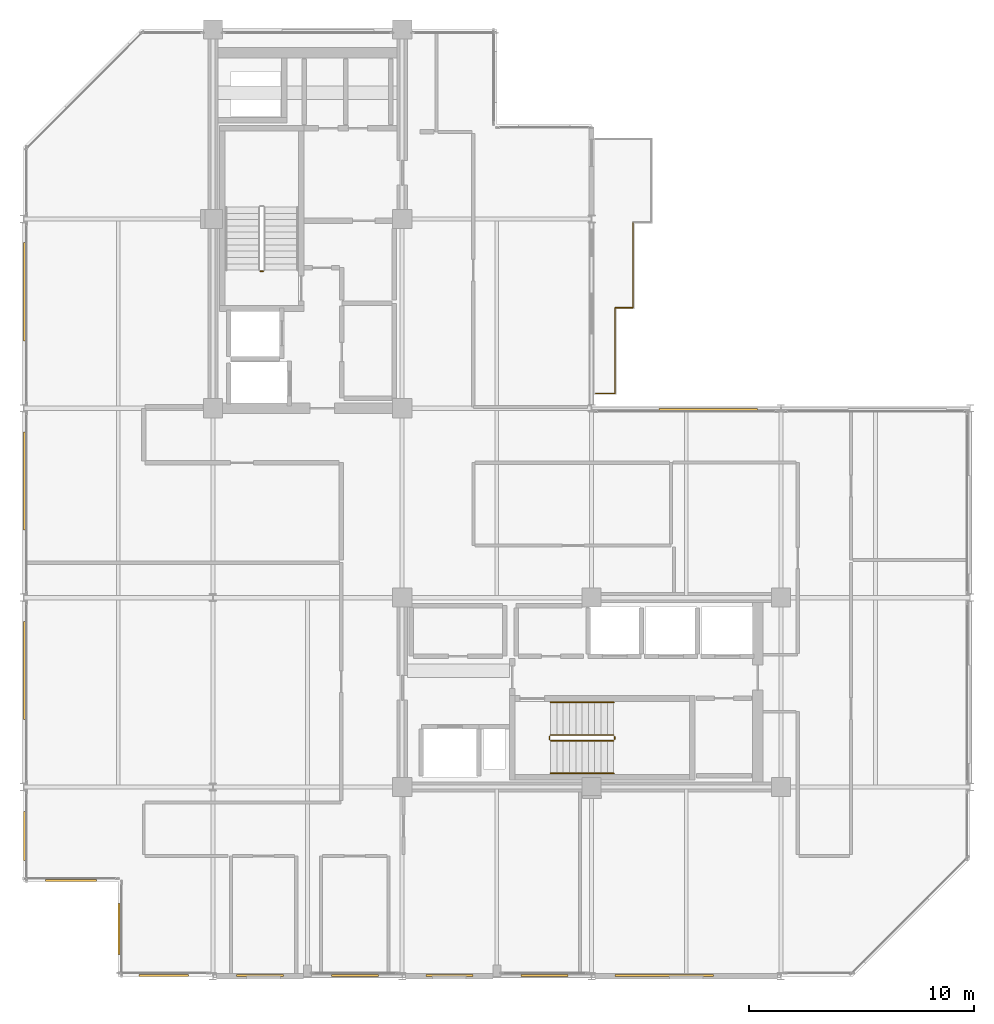
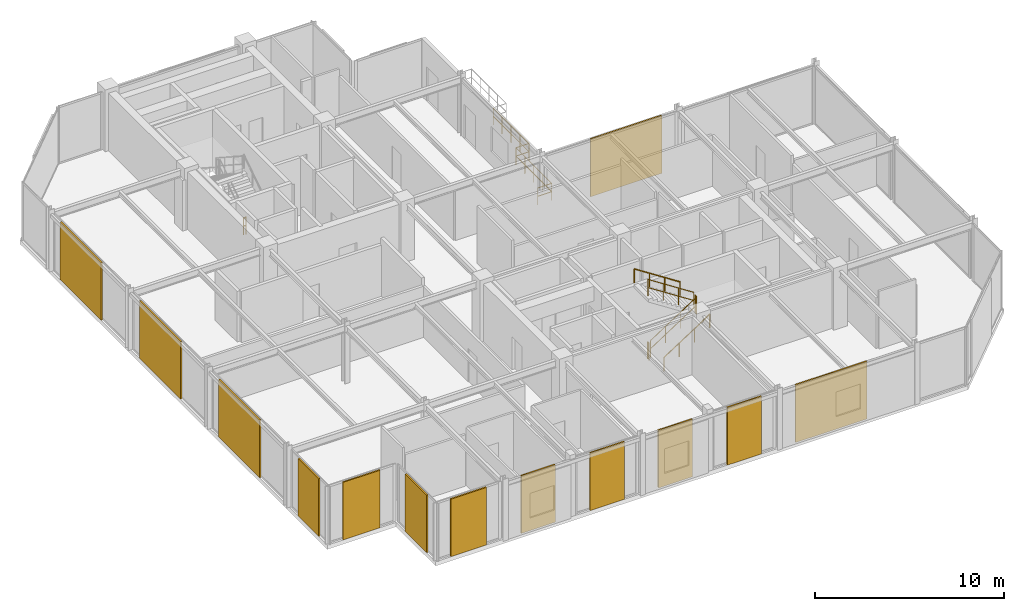
# One storey, part 24 of 26: 13 coverings, 11 railings.
"""IFC4 building model written with IfcOpenShell, lengths in metres."""

from ifc_helpers import new_model, si_unit, direction, frame, origin, origin_2d, place, context, subcontext, project, spatial, rectangle, circle, extrude, material, layer, layer_set, type_object, element, save


model = new_model("IFC4")

# Units and contexts
model_context = context("Model", 3, precision=1e-05, world=origin(), true_north=direction((0.0, 1.0)))
body_context = subcontext(model_context, "Body", "Model", "MODEL_VIEW")
ifc_project = project(units=[si_unit("LENGTHUNIT", "METRE"), si_unit("AREAUNIT", "SQUARE_METRE"), si_unit("VOLUMEUNIT", "CUBIC_METRE"), si_unit("PLANEANGLEUNIT", "RADIAN"), si_unit("MASSUNIT", "GRAM", prefix="KILO")], contexts=[model_context])

# Site, building, storey
site_placement = place(None, origin())
site = spatial("IfcSite", under=ifc_project, at=site_placement, CompositionType="ELEMENT")
building_placement = place(site_placement, origin())
building = spatial("IfcBuilding", under=site, at=building_placement, Name="Nerrivon Quay Data Exchange", CompositionType="ELEMENT")
storey_placement = place(building_placement, frame((0.0, 0.0, 250.199951171875)))
storey = spatial("IfcBuildingStorey", under=building, at=storey_placement, Name="L59", CompositionType="ELEMENT", Elevation=250.199951171875)

# Coverings
ifc_material_1 = material(Name="Architectural terracotta ceramic", Category="masonry")
ifc_layer = layer(ifc_material_1, 0.090087890625)
ifc_layer_set = layer_set([ifc_layer], Name="Architectural terracotta ceramic")
covering_type = type_object("IfcCoveringType", Name="COV-SCR-TERR", PredefinedType="CLADDING", material=ifc_layer_set)
covering_1_placement = place(storey_placement, frame((28.42919921875, 0.044921875, 0.0), z_axis=(0.0, 0.0, 1.0), x_axis=(-1.0, 0.0, 0.0)))
element("IfcCovering", 1, at=covering_1_placement, inside=storey, type_object=covering_type, Name="L59 Perforated Terracotta SOLAR SCREEN Cassette", PredefinedType="CLADDING", context=body_context, shape_type="SweptSolid", body=[
    extrude(rectangle(XDim=4.367919921875, YDim=0.090087890625, at=origin_2d()), origin(), (0.0, 0.0, 1.0), 3.72509765625),
])
for number, where, z_axis, x_axis, name in (
    (2, (23.109619140625, 0.044921875, 0.0), (0.0, 0.0, 1.0), (-1.0, 0.0, 0.0), "L59 Perforated Terracotta SOLAR SCREEN Cassette"),
    (3, (18.890380859375, 0.044921875, 0.0), (0.0, 0.0, 1.0), (-1.0, 0.0, 0.0), "L59 Perforated Terracotta SOLAR SCREEN Cassette"),
    (4, (14.709716796875, 0.044921875, 0.0), (0.0, 0.0, 1.0), (-1.0, 0.0, 0.0), "L59 Perforated Terracotta SOLAR SCREEN Cassette"),
    (5, (10.490234375, 0.044921875, 0.0), (0.0, 0.0, 1.0), (-1.0, 0.0, 0.0), "L59 Perforated Terracotta SOLAR SCREEN Cassette"),
):
    element("IfcCovering", number, at=place(storey_placement, frame(where, z_axis=z_axis, x_axis=x_axis)), inside=storey, type_object=covering_type, Name=name, PredefinedType="CLADDING", context=body_context, shape_type="SweptSolid", body=[
        extrude(rectangle(XDim=2.090087890625, YDim=0.090087890625, at=origin_2d()), origin(), (0.0, 0.0, 1.0), 3.72509765625),
    ])
covering_2_placement = place(storey_placement, frame((6.222412109375, 0.044921875, 0.0), z_axis=(0.0, 0.0, 1.0), x_axis=(-1.0, 0.0, 0.0)))
element("IfcCovering", 6, at=covering_2_placement, inside=storey, type_object=covering_type, Name="L59 Perforated Terracotta SOLAR SCREEN Cassette", PredefinedType="CLADDING", context=body_context, shape_type="SweptSolid", body=[
    extrude(rectangle(XDim=2.18408203125, YDim=0.090087890625, at=origin_2d()), origin(), (0.0, 0.0, 1.0), 3.72509765625),
])
for number, where, z_axis, x_axis, name in (
    (7, (4.2451171875, 2.10009765625, 0.0), (0.0, 0.0, 1.0), (0.0, 1.0, 0.0), "L59 Perforated Terracotta SOLAR SCREEN Cassette"),
    (8, (2.10009765625, 4.2451171875, 0.0), (0.0, 0.0, 1.0), (-1.0, 0.0, 0.0), "L59 Perforated Terracotta SOLAR SCREEN Cassette"),
):
    element("IfcCovering", number, at=place(storey_placement, frame(where, z_axis=z_axis, x_axis=x_axis)), inside=storey, type_object=covering_type, Name=name, PredefinedType="CLADDING", context=body_context, shape_type="SweptSolid", body=[
        extrude(rectangle(XDim=2.26806640625, YDim=0.090087890625, at=origin_2d()), origin(), (0.0, 0.0, 1.0), 3.72509765625),
    ])
covering_3_placement = place(storey_placement, frame((0.044921875, 6.21826171875, 0.0), z_axis=(0.0, 0.0, 1.0), x_axis=(0.0, 1.0, 0.0)))
element("IfcCovering", 9, at=covering_3_placement, inside=storey, type_object=covering_type, Name="L59 Perforated Terracotta SOLAR SCREEN Cassette", PredefinedType="CLADDING", context=body_context, shape_type="SweptSolid", body=[
    extrude(rectangle(XDim=2.179931640625, YDim=0.090087890625, at=origin_2d()), origin(), (0.0, 0.0, 1.0), 3.72509765625),
])
for number, where, z_axis, x_axis, name in (
    (10, (0.044921875, 13.56884765625, 0.0), (0.0, 0.0, 1.0), (0.0, 1.0, 0.0), "L59 Perforated Terracotta SOLAR SCREEN Cassette"),
    (11, (0.044921875, 21.96875, 0.0), (0.0, 0.0, 1.0), (0.0, 1.0, 0.0), "L59 Perforated Terracotta SOLAR SCREEN Cassette"),
    (12, (0.044921875, 30.368896484375, 0.0), (0.0, 0.0, 1.0), (0.0, 1.0, 0.0), "L59 Perforated Terracotta SOLAR SCREEN Cassette"),
):
    element("IfcCovering", number, at=place(storey_placement, frame(where, z_axis=z_axis, x_axis=x_axis)), inside=storey, type_object=covering_type, Name=name, PredefinedType="CLADDING", context=body_context, shape_type="SweptSolid", body=[
        extrude(rectangle(XDim=4.35888671875, YDim=0.090087890625, at=origin_2d()), origin(), (0.0, 0.0, 1.0), 3.72509765625),
    ])
covering_4_placement = place(storey_placement, frame((30.37060546875, 25.155029296875, 0.0), z_axis=(0.0, 0.0, 1.0), x_axis=(1.0, 0.0, 0.0)))
element("IfcCovering", 13, at=covering_4_placement, inside=storey, type_object=covering_type, Name="L59 Perforated Terracotta SOLAR SCREEN Cassette", PredefinedType="CLADDING", context=body_context, shape_type="SweptSolid", body=[
    extrude(rectangle(XDim=4.367919921875, YDim=0.090087890625, at=origin_2d()), origin(), (0.0, 0.0, 1.0), 3.72509765625),
])

# Railings
ifc_material_2 = material(Name="Steel Grade C350L0 (350 MPa)", Category="steel")
railing_type_1 = type_object("IfcRailingType", Name="RAIL-GUARD-GR2", PredefinedType="BALUSTRADE", material=ifc_material_2)
railing_1_placement = place(storey_placement, frame((26.239990234375, 29.659912109375, 0.0)))
element("IfcRailing", 14, at=railing_1_placement, inside=storey, type_object=railing_type_1, Name="L59 Verandah Balcony Guard 1.1 1", PredefinedType="BALUSTRADE", context=body_context, shape_type="SweptSolid", body=[
    extrude(circle(Radius=0.02392578125, at=origin_2d()), frame((0.0, 0.0, 1.09619140625), z_axis=(0.0, -1.0, 0.0), x_axis=(1.0, 0.0, 0.0)), (0.0, 0.0, 1.0), 3.7998046875),
    extrude(circle(Radius=0.02392578125, at=origin_2d()), frame((0.0, 0.0, 0.56005859375), z_axis=(0.0, -1.0, 0.0), x_axis=(1.0, 0.0, 0.0)), (0.0, 0.0, 1.0), 3.7998046875),
    extrude(circle(Radius=0.02099609375, at=origin_2d()), origin(), (0.0, 0.0, 1.0), 1.072021484375),
    extrude(circle(Radius=0.02099609375, at=origin_2d()), frame((0.0, -0.949951171875, 0.0)), (0.0, 0.0, 1.0), 1.072021484375),
    extrude(circle(Radius=0.02099609375, at=origin_2d()), frame((0.0, -1.89990234375, 0.0)), (0.0, 0.0, 1.0), 1.072021484375),
    extrude(circle(Radius=0.02099609375, at=origin_2d()), frame((0.0, -2.849853515625, 0.0)), (0.0, 0.0, 1.0), 1.072021484375),
    extrude(circle(Radius=0.02099609375, at=origin_2d()), frame((0.0, -3.7998046875, 0.0)), (0.0, 0.0, 1.0), 1.072021484375),
])
railing_2_placement = place(storey_placement, frame((26.239990234375, 25.860107421875, 0.0)))
element("IfcRailing", 15, at=railing_2_placement, inside=storey, type_object=railing_type_1, Name="L59 Verandah Balcony Guard 1.2 1", PredefinedType="BALUSTRADE", context=body_context, shape_type="SweptSolid", body=[
    extrude(circle(Radius=0.02392578125, at=origin_2d()), frame((0.0, 0.0, 1.09619140625), z_axis=(-1.0, 0.0, 0.0), x_axis=(0.0, -1.0, 0.0)), (0.0, 0.0, 1.0), 0.860107421875),
    extrude(circle(Radius=0.02392578125, at=origin_2d()), frame((0.0, 0.0, 0.56005859375), z_axis=(-1.0, 0.0, 0.0), x_axis=(0.0, -1.0, 0.0)), (0.0, 0.0, 1.0), 0.860107421875),
    extrude(circle(Radius=0.02099609375, at=origin_2d()), origin(), (0.0, 0.0, 1.0), 1.072021484375),
    extrude(circle(Radius=0.02099609375, at=origin_2d()), frame((-0.860107421875, 0.0, 0.0)), (0.0, 0.0, 1.0), 1.072021484375),
])
railing_3_placement = place(storey_placement, frame((27.0400390625, 33.4599609375, 0.0)))
element("IfcRailing", 16, at=railing_3_placement, inside=storey, type_object=railing_type_1, Name="L59 Verandah Balcony Guard 1.6 1", PredefinedType="BALUSTRADE", context=body_context, shape_type="SweptSolid", body=[
    extrude(circle(Radius=0.02392578125, at=origin_2d()), frame((0.0, 0.0, 1.09619140625), z_axis=(0.0, -1.0, 0.0), x_axis=(1.0, 0.0, 0.0)), (0.0, 0.0, 1.0), 3.800048828125),
    extrude(circle(Radius=0.02392578125, at=origin_2d()), frame((0.0, 0.0, 0.56005859375), z_axis=(0.0, -1.0, 0.0), x_axis=(1.0, 0.0, 0.0)), (0.0, 0.0, 1.0), 3.800048828125),
    extrude(circle(Radius=0.02099609375, at=origin_2d()), origin(), (0.0, 0.0, 1.0), 1.072021484375),
    extrude(circle(Radius=0.02099609375, at=origin_2d()), frame((0.0, -0.949951171875, 0.0)), (0.0, 0.0, 1.0), 1.072021484375),
    extrude(circle(Radius=0.02099609375, at=origin_2d()), frame((0.0, -1.89990234375, 0.0)), (0.0, 0.0, 1.0), 1.072021484375),
    extrude(circle(Radius=0.02099609375, at=origin_2d()), frame((0.0, -2.85009765625, 0.0)), (0.0, 0.0, 1.0), 1.072021484375),
    extrude(circle(Radius=0.02099609375, at=origin_2d()), frame((0.0, -3.800048828125, 0.0)), (0.0, 0.0, 1.0), 1.072021484375),
])
railing_4_placement = place(storey_placement, frame((27.0400390625, 29.659912109375, 0.0)))
element("IfcRailing", 17, at=railing_4_placement, inside=storey, type_object=railing_type_1, Name="L59 Verandah Balcony Guard 1.7 1", PredefinedType="BALUSTRADE", context=body_context, shape_type="SweptSolid", body=[
    extrude(circle(Radius=0.02392578125, at=origin_2d()), frame((0.0, 0.0, 1.09619140625), z_axis=(-1.0, 0.0, 0.0), x_axis=(0.0, -1.0, 0.0)), (0.0, 0.0, 1.0), 0.800048828125),
    extrude(circle(Radius=0.02392578125, at=origin_2d()), frame((0.0, 0.0, 0.56005859375), z_axis=(-1.0, 0.0, 0.0), x_axis=(0.0, -1.0, 0.0)), (0.0, 0.0, 1.0), 0.800048828125),
    extrude(circle(Radius=0.02099609375, at=origin_2d()), origin(), (0.0, 0.0, 1.0), 1.072021484375),
    extrude(circle(Radius=0.02099609375, at=origin_2d()), frame((-0.800048828125, 0.0, 0.0)), (0.0, 0.0, 1.0), 1.072021484375),
])
railing_type_2 = type_object("IfcRailingType", Name="RAIL-HAND-HR1", PredefinedType="HANDRAIL", material=ifc_material_2)
railing_5_placement = place(storey_placement, frame((23.3798828125, 9.0, 0.181884765625)))
element("IfcRailing", 18, at=railing_5_placement, inside=storey, type_object=railing_type_2, Name="L59 ST02 stair handrail 1", PredefinedType="HANDRAIL", context=body_context, shape_type="SweptSolid", body=[
    extrude(circle(Radius=0.02392578125, at=origin_2d()), frame((0.0, 0.0, 0.8759765625), z_axis=(0.838705829183, 0.0, 0.544584733623), x_axis=(0.0, 1.0, 0.0)), (0.0, 0.0, 1.0), 3.338623046875),
    extrude(circle(Radius=0.02099609375, at=origin_2d()), origin(), (0.0, 0.0, 1.0), 0.851806640625),
    extrude(circle(Radius=0.02099609375, at=origin_2d()), frame((0.933349609375, 0.0, 0.60595703125)), (0.0, 0.0, 1.0), 0.851806640625),
    extrude(circle(Radius=0.02099609375, at=origin_2d()), frame((1.86669921875, 0.0, 1.212158203125)), (0.0, 0.0, 1.0), 0.851806640625),
    extrude(circle(Radius=0.02099609375, at=origin_2d()), frame((2.800048828125, 0.0, 1.818115234375)), (0.0, 0.0, 1.0), 0.851806640625),
])
railing_6_placement = place(storey_placement, frame((26.179931640625, 12.14990234375, 2.181884765625)))
element("IfcRailing", 19, at=railing_6_placement, inside=storey, type_object=railing_type_2, Name="L59 ST02 stair handrail 2", PredefinedType="HANDRAIL", context=body_context, shape_type="SweptSolid", body=[
    extrude(circle(Radius=0.02392578125, at=origin_2d()), frame((0.0, 0.0, 0.8759765625), z_axis=(-0.838705829183, 0.0, 0.544584733623), x_axis=(0.0, -1.0, 0.0)), (0.0, 0.0, 1.0), 3.338623046875),
    extrude(circle(Radius=0.02099609375, at=origin_2d()), origin(), (0.0, 0.0, 1.0), 0.851806640625),
    extrude(circle(Radius=0.02099609375, at=origin_2d()), frame((-0.933349609375, 0.0, 0.60595703125)), (0.0, 0.0, 1.0), 0.851806640625),
    extrude(circle(Radius=0.02099609375, at=origin_2d()), frame((-1.86669921875, 0.0, 1.212158203125)), (0.0, 0.0, 1.0), 0.851806640625),
    extrude(circle(Radius=0.02099609375, at=origin_2d()), frame((-2.800048828125, 0.0, 1.818115234375)), (0.0, 0.0, 1.0), 0.851806640625),
])
railing_type_3 = type_object("IfcRailingType", Name="RAIL-STAIR-GR1", PredefinedType="BALUSTRADE", material=ifc_material_2)
railing_7_placement = place(storey_placement, frame((10.64990234375, 31.280029296875, 0.0)))
element("IfcRailing", 20, at=railing_7_placement, inside=storey, type_object=railing_type_3, Name="L59 ST01 stair guard 4", PredefinedType="BALUSTRADE", context=body_context, shape_type="SweptSolid", body=[
    extrude(circle(Radius=0.02392578125, at=origin_2d()), frame((0.0, 0.0, 1.076171875), z_axis=(-1.0, 0.0, 0.0), x_axis=(0.0, -1.0, 0.0)), (0.0, 0.0, 1.0), 0.14990234375),
    extrude(circle(Radius=0.02392578125, at=origin_2d()), frame((0.0, 0.0, 0.550048828125), z_axis=(-1.0, 0.0, 0.0), x_axis=(0.0, -1.0, 0.0)), (0.0, 0.0, 1.0), 0.14990234375),
    extrude(circle(Radius=0.02099609375, at=origin_2d()), origin(), (0.0, 0.0, 1.0), 1.052001953125),
    extrude(circle(Radius=0.02099609375, at=origin_2d()), frame((-0.14990234375, 0.0, 0.0)), (0.0, 0.0, 1.0), 1.052001953125),
])
railing_8_placement = place(storey_placement, frame((23.3798828125, 10.449951171875, 0.181884765625)))
element("IfcRailing", 21, at=railing_8_placement, inside=storey, type_object=railing_type_3, Name="L59 ST02 stair guard 1", PredefinedType="BALUSTRADE", context=body_context, shape_type="SweptSolid", body=[
    extrude(circle(Radius=0.02392578125, at=origin_2d()), frame((0.0, 0.0, 1.076171875), z_axis=(0.838705829183, 0.0, 0.544584733623), x_axis=(0.0, 1.0, 0.0)), (0.0, 0.0, 1.0), 3.338623046875),
    extrude(circle(Radius=0.02392578125, at=origin_2d()), frame((0.0, 0.0, 0.550048828125), z_axis=(0.838705829183, 0.0, 0.544584733623), x_axis=(0.0, 1.0, 0.0)), (0.0, 0.0, 1.0), 3.338623046875),
    extrude(circle(Radius=0.02099609375, at=origin_2d()), origin(), (0.0, 0.0, 1.0), 1.052001953125),
    extrude(circle(Radius=0.02099609375, at=origin_2d()), frame((0.933349609375, 0.0, 0.60595703125)), (0.0, 0.0, 1.0), 1.052001953125),
    extrude(circle(Radius=0.02099609375, at=origin_2d()), frame((1.86669921875, 0.0, 1.212158203125)), (0.0, 0.0, 1.0), 1.052001953125),
    extrude(circle(Radius=0.02099609375, at=origin_2d()), frame((2.800048828125, 0.0, 1.818115234375)), (0.0, 0.0, 1.0), 1.052001953125),
])
railing_9_placement = place(storey_placement, frame((26.22998046875, 10.5, 2.0)))
element("IfcRailing", 22, at=railing_9_placement, inside=storey, type_object=railing_type_3, Name="L59 ST02 stair guard 2", PredefinedType="BALUSTRADE", context=body_context, shape_type="SweptSolid", body=[
    extrude(circle(Radius=0.02392578125, at=origin_2d()), frame((0.0, 0.0, 1.076171875), z_axis=(0.0, 1.0, 0.0), x_axis=(-1.0, 0.0, 0.0)), (0.0, 0.0, 1.0), 0.14990234375),
    extrude(circle(Radius=0.02392578125, at=origin_2d()), frame((0.0, 0.0, 0.550048828125), z_axis=(0.0, 1.0, 0.0), x_axis=(-1.0, 0.0, 0.0)), (0.0, 0.0, 1.0), 0.14990234375),
    extrude(circle(Radius=0.02099609375, at=origin_2d()), origin(), (0.0, 0.0, 1.0), 1.052001953125),
    extrude(circle(Radius=0.02099609375, at=origin_2d()), frame((0.0, 0.14990234375, 0.0)), (0.0, 0.0, 1.0), 1.052001953125),
])
railing_10_placement = place(storey_placement, frame((26.179931640625, 10.699951171875, 2.181884765625)))
element("IfcRailing", 23, at=railing_10_placement, inside=storey, type_object=railing_type_3, Name="L59 ST02 stair guard 3", PredefinedType="BALUSTRADE", context=body_context, shape_type="SweptSolid", body=[
    extrude(circle(Radius=0.02392578125, at=origin_2d()), frame((0.0, 0.0, 1.076171875), z_axis=(-0.838705829183, 0.0, 0.544584733623), x_axis=(0.0, -1.0, 0.0)), (0.0, 0.0, 1.0), 3.338623046875),
    extrude(circle(Radius=0.02392578125, at=origin_2d()), frame((0.0, 0.0, 0.550048828125), z_axis=(-0.838705829183, 0.0, 0.544584733623), x_axis=(0.0, -1.0, 0.0)), (0.0, 0.0, 1.0), 3.338623046875),
    extrude(circle(Radius=0.02099609375, at=origin_2d()), origin(), (0.0, 0.0, 1.0), 1.052001953125),
    extrude(circle(Radius=0.02099609375, at=origin_2d()), frame((-0.933349609375, 0.0, 0.60595703125)), (0.0, 0.0, 1.0), 1.052001953125),
    extrude(circle(Radius=0.02099609375, at=origin_2d()), frame((-1.86669921875, 0.0, 1.212158203125)), (0.0, 0.0, 1.0), 1.052001953125),
    extrude(circle(Radius=0.02099609375, at=origin_2d()), frame((-2.800048828125, 0.0, 1.818115234375)), (0.0, 0.0, 1.0), 1.052001953125),
])
railing_11_placement = place(storey_placement, frame((23.330078125, 10.5, 0.0)))
element("IfcRailing", 24, at=railing_11_placement, inside=storey, type_object=railing_type_3, Name="L59 ST02 stair guard 4", PredefinedType="BALUSTRADE", context=body_context, shape_type="SweptSolid", body=[
    extrude(circle(Radius=0.02392578125, at=origin_2d()), frame((0.0, 0.0, 1.076171875), z_axis=(0.0, 1.0, 0.0), x_axis=(-1.0, 0.0, 0.0)), (0.0, 0.0, 1.0), 0.14990234375),
    extrude(circle(Radius=0.02392578125, at=origin_2d()), frame((0.0, 0.0, 0.550048828125), z_axis=(0.0, 1.0, 0.0), x_axis=(-1.0, 0.0, 0.0)), (0.0, 0.0, 1.0), 0.14990234375),
    extrude(circle(Radius=0.02099609375, at=origin_2d()), origin(), (0.0, 0.0, 1.0), 1.052001953125),
    extrude(circle(Radius=0.02099609375, at=origin_2d()), frame((0.0, 0.14990234375, 0.0)), (0.0, 0.0, 1.0), 1.052001953125),
])

save(model, "model.ifc")
